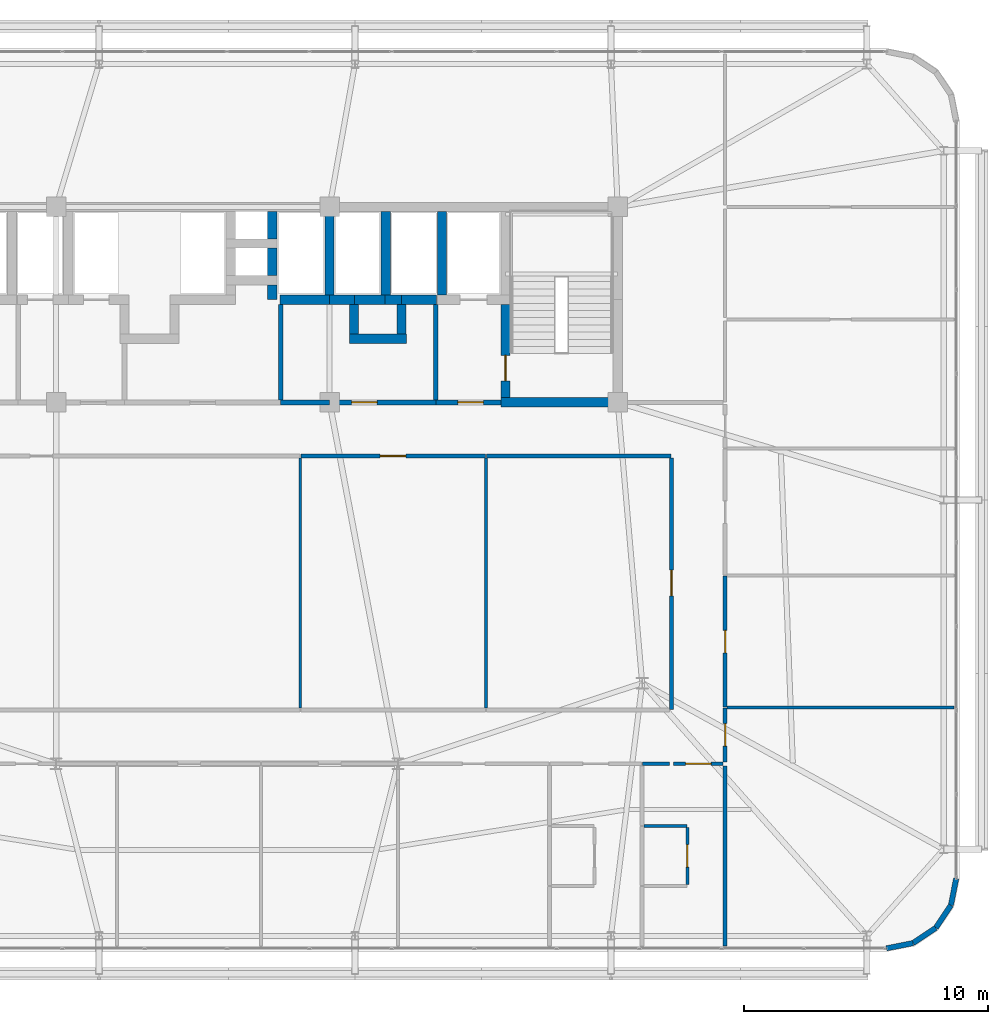
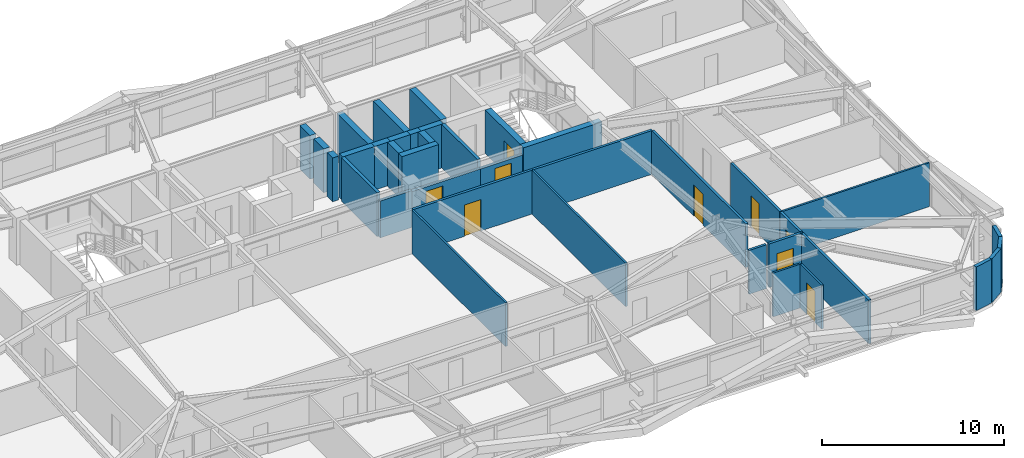
# One storey, part 54 of 58: 38 walls, 9 doors, 9 openings.
"""IFC4 building model written with IfcOpenShell, lengths in metres."""

from ifc_helpers import new_model, si_unit, direction, frame, frame_2d, origin, place, context, subcontext, project, spatial, rectangle, extrude, source, transform, mapped, material, layer, layer_set, type_object, element, fill, save


model = new_model("IFC4")

# Units and contexts
model_context = context("Model", 3, precision=1e-05, world=origin(), true_north=direction((0.0, 1.0)))
body_context = subcontext(model_context, "Body", "Model", "MODEL_VIEW")
ifc_project = project(units=[si_unit("LENGTHUNIT", "METRE"), si_unit("AREAUNIT", "SQUARE_METRE"), si_unit("VOLUMEUNIT", "CUBIC_METRE"), si_unit("PLANEANGLEUNIT", "RADIAN"), si_unit("MASSUNIT", "GRAM", prefix="KILO")], contexts=[model_context])

# Site, building, storey
site_placement = place(None, origin())
site = spatial("IfcSite", under=ifc_project, at=site_placement, CompositionType="ELEMENT")
building_placement = place(site_placement, origin())
building = spatial("IfcBuilding", under=site, at=building_placement, Name="Taldren Reach Tower", CompositionType="ELEMENT")
storey_placement = place(building_placement, frame((0.0, 0.0, 51.449951171875)))
storey = spatial("IfcBuildingStorey", under=building, at=storey_placement, Name="L15", CompositionType="ELEMENT", Elevation=51.449951171875)

# Walls
ifc_material_1 = material(Name="Pale Champagne Anodised Aluminium Cladding", Category="aluminium")
ifc_layer_1 = layer(ifc_material_1, 0.04, Name="Pale Champagne Anodised Aluminium Cladding", Category="aluminium")
ifc_material_2 = material(Name="Mineral Wool Acoustic Insulation", Category="insulation")
ifc_layer_2 = layer(ifc_material_2, 0.06, Name="Mineral Wool Acoustic Insulation", Category="insulation")
ifc_material_3 = material(Name="Steel Gr 350 (C350L0)", Category="steel")
ifc_layer_3 = layer(ifc_material_3, 0.12, Name="Steel Gr 350 (C350L0)", Category="steel")
ifc_layer_set_1 = layer_set([ifc_layer_1, ifc_layer_2, ifc_layer_3], Name="Pale Champagne Aluminium Cladding and Steel Gr 350 Stud Framing")
wall_type_1 = type_object("IfcWallType", Name="EW-CRN-220", PredefinedType="SOLIDWALL", material=ifc_layer_set_1)
shared_shape_1 = source(origin(), body_context, "Body", "SweptSolid", [
    extrude(rectangle(XDim=1.115966796875, YDim=0.219970703125, at=frame_2d((0.55810546875, 0.0))), origin(), (0.0, 0.0, 1.0), 2.929931640625),
])
for number, where, z_axis, x_axis, name in (
    (1, (62.0, 1.639892578125, 0.0), (0.0, 0.0, 1.0), (0.98077373103, 0.195148375659, 0.0), "Rounded-corner pale-metal facade wall L15-SE1"),
    (2, (63.094482421875, 1.857666015625, 0.0), (0.0, 0.0, 1.0), (0.83137650226, 0.555709556774, 0.0), "Rounded-corner pale-metal facade wall L15-SE2"),
    (3, (64.022216796875, 2.477783203125, 0.0), (0.0, 0.0, 1.0), (0.555709556774, 0.83137650226, 0.0), "Rounded-corner pale-metal facade wall L15-SE3"),
    (4, (64.642333984375, 3.405517578125, 0.0), (0.0, 0.0, 1.0), (0.195148375659, 0.98077373103, 0.0), "Rounded-corner pale-metal facade wall L15-SE4"),
):
    element("IfcWall", number, at=place(storey_placement, frame(where, z_axis=z_axis, x_axis=x_axis)), inside=storey, type_object=wall_type_1, Name=name, PredefinedType="SOLIDWALL", context=body_context, shape_type="MappedRepresentation", body=[
        mapped(shared_shape_1, transform((0.0, 0.0, 0.0), scale=1.0)),
    ])
ifc_material_4 = material(Name="Concrete S80 (80 MPa)", Category="concrete")
ifc_layer_4 = layer(ifc_material_4, 0.3798828125)
ifc_layer_set_2 = layer_set([ifc_layer_4], Name="Concrete S80 (80 MPa)")
wall_type_2 = type_object("IfcWallType", Name="IW-CORE-380", PredefinedType="SHEAR", material=ifc_layer_set_2)
shared_shape_2 = source(origin(), body_context, "Body", "SweptSolid", [
    extrude(rectangle(XDim=3.420166015625, YDim=0.3798828125, at=frame_2d((1.7099609375, 0.0))), origin(), (0.0, 0.0, 1.0), 2.929931640625),
])
for number, where, z_axis, x_axis, name in (
    (5, (43.800048828125, 31.81005859375, 0.0), (0.0, 0.0, 1.0), (0.0, -1.0, 0.0), "Rear Core Shear Wall W-INT-L15-012"),
    (6, (39.199951171875, 28.389892578125, 0.0), (0.0, 0.0, 1.0), (0.0, 1.0, 0.0), "Rear Core Shear Wall W-INT-L15-036"),
    (7, (41.5, 28.389892578125, 0.0), (0.0, 0.0, 1.0), (0.0, 1.0, 0.0), "Rear Core Shear Wall W-INT-L15-039"),
):
    element("IfcWall", number, at=place(storey_placement, frame(where, z_axis=z_axis, x_axis=x_axis)), inside=storey, type_object=wall_type_2, Name=name, PredefinedType="SHEAR", context=body_context, shape_type="MappedRepresentation", body=[
        mapped(shared_shape_2, transform((0.0, 0.0, 0.0), scale=1.0)),
    ])

# Wall, opening, door
shared_shape_3 = source(origin(), body_context, "Body", "SweptSolid", [
    extrude(rectangle(XDim=3.820068359375, YDim=0.3798828125, at=frame_2d((1.91015625, 0.0))), origin(), (0.0, 0.0, 1.0), 2.929931640625),
])
wall_1_placement = place(storey_placement, frame((46.39990234375, 28.010009765625, 0.0), z_axis=(0.0, 0.0, 1.0), x_axis=(0.0, -1.0, 0.0)))
wall_1 = element("IfcWall", 8, at=wall_1_placement, inside=storey, type_object=wall_type_2, Name="Rear Core Shear Wall W-INT-L15-009", PredefinedType="SHEAR", context=body_context, shape_type="MappedRepresentation", body=[
    mapped(shared_shape_3, transform((0.0, 0.0, 0.0), scale=1.0)),
])
shared_shape_4 = source(origin(), body_context, "Body", "SweptSolid", [
    extrude(rectangle(XDim=1.050048828125, YDim=2.10009765625, at=frame_2d((0.52490234375, 1.050048828125))), frame((0.0, 0.199951171875, 0.0), z_axis=(0.0, -1.0, 0.0), x_axis=(1.0, 0.0, 0.0)), (0.0, 0.0, 1.0), 0.39990234375),
])
opening_1_placement = place(wall_1_placement, frame((2.0849609375, 0.0, 0.0)))
opening_1 = element("IfcOpeningElement", 9, at=opening_1_placement, cuts=wall_1, Name="Opening DF-105", PredefinedType="OPENING", context=body_context, shape_type="MappedRepresentation", body=[
    mapped(shared_shape_4, transform((0.0, 0.0, 0.0), scale=1.0)),
])
ifc_material_5 = material(Name="Fire-Rated Care and Stair Exit Door")
door_type_1 = type_object("IfcDoorType", Name="ID-FIRE-105", OperationType="NOTDEFINED", PredefinedType="DOOR", material=ifc_material_5)
shared_shape_5 = source(origin(), body_context, "Body", "SweptSolid", [
    extrude(rectangle(XDim=1.050048828125, YDim=2.10009765625, at=frame_2d((0.52490234375, 1.050048828125))), frame((0.0, 0.02490234375, 0.0), z_axis=(0.0, -1.0, 0.0), x_axis=(1.0, 0.0, 0.0)), (0.0, 0.0, 1.0), 0.050048828125),
])
door_1_placement = place(opening_1_placement, origin())
door_1 = element("IfcDoor", 10, at=door_1_placement, inside=storey, type_object=door_type_1, Name="Fire Exit Stair Door DR-L15-003", OperationType="SINGLE_SWING_RIGHT", OverallHeight=2.10009765625, OverallWidth=1.050048828125, PredefinedType="DOOR", context=body_context, shape_type="MappedRepresentation", body=[
    mapped(shared_shape_5, transform((0.0, 0.0, 0.0), scale=1.0)),
])
fill(opening_1, door_1)

# Walls
shared_shape_6 = source(origin(), body_context, "Body", "SweptSolid", [
    extrude(rectangle(XDim=4.97998046875, YDim=0.3798828125, at=frame_2d((2.489990234375, 0.0))), origin(), (0.0, 0.0, 1.0), 2.929931640625),
])
wall_2_placement = place(storey_placement, frame((46.2099609375, 24.0, 0.0), z_axis=(0.0, 0.0, 1.0), x_axis=(1.0, 0.0, 0.0)))
element("IfcWall", 11, at=wall_2_placement, inside=storey, type_object=wall_type_2, Name="Rear Core Shear Wall W-INT-L15-010", PredefinedType="SHEAR", context=body_context, shape_type="MappedRepresentation", body=[
    mapped(shared_shape_6, transform((0.0, 0.0, 0.0), scale=1.0)),
])
ifc_material_6 = material(Name="Concrete S50 (50 MPa)", Category="concrete")
ifc_layer_5 = layer(ifc_material_6, 0.199951171875)
ifc_layer_set_3 = layer_set([ifc_layer_5], Name="Concrete S50 (50 MPa)")
wall_type_3 = type_object("IfcWallType", Name="IW-CORE-200", PredefinedType="SOLIDWALL", material=ifc_layer_set_3)
shared_shape_7 = source(origin(), body_context, "Body", "SweptSolid", [
    extrude(rectangle(XDim=3.909912109375, YDim=0.199951171875, at=frame_2d((1.955078125, 0.0))), origin(), (0.0, 0.0, 1.0), 2.929931640625),
])
for number, where, z_axis, x_axis, name in (
    (12, (43.550048828125, 28.010009765625, 0.0), (0.0, 0.0, 1.0), (0.0, -1.0, 0.0), "Rear Core Shear Wall W-INT-L15-013"),
    (13, (37.199951171875, 28.010009765625, 0.0), (0.0, 0.0, 1.0), (0.0, -1.0, 0.0), "Rear Core Shear Wall W-INT-L15-042"),
):
    element("IfcWall", number, at=place(storey_placement, frame(where, z_axis=z_axis, x_axis=x_axis)), inside=storey, type_object=wall_type_3, Name=name, PredefinedType="SOLIDWALL", context=body_context, shape_type="MappedRepresentation", body=[
        mapped(shared_shape_7, transform((0.0, 0.0, 0.0), scale=1.0)),
    ])

# Wall, opening, door
shared_shape_8 = source(origin(), body_context, "Body", "SweptSolid", [
    extrude(rectangle(XDim=2.659912109375, YDim=0.199951171875, at=frame_2d((1.330078125, 0.0))), origin(), (0.0, 0.0, 1.0), 2.39697265625),
])
wall_3_placement = place(storey_placement, frame((43.550048828125, 24.0, 0.0), z_axis=(0.0, 0.0, 1.0), x_axis=(1.0, 0.0, 0.0)))
wall_3 = element("IfcWall", 14, at=wall_3_placement, inside=storey, type_object=wall_type_3, Name="Rear Core Shear Wall W-INT-L15-014", PredefinedType="SOLIDWALL", context=body_context, shape_type="MappedRepresentation", body=[
    mapped(shared_shape_8, transform((0.0, 0.0, 0.0), scale=1.0)),
])
shared_shape_9 = source(origin(), body_context, "Body", "SweptSolid", [
    extrude(rectangle(XDim=1.050048828125, YDim=2.10009765625, at=frame_2d((0.52490234375, 1.050048828125))), frame((0.0, 0.10986328125, 0.0), z_axis=(0.0, -1.0, 0.0), x_axis=(1.0, 0.0, 0.0)), (0.0, 0.0, 1.0), 0.219970703125),
])
opening_2_placement = place(wall_3_placement, frame((0.89990234375, 0.0, 0.0)))
opening_2 = element("IfcOpeningElement", 15, at=opening_2_placement, cuts=wall_3, Name="Opening DF-105", PredefinedType="OPENING", context=body_context, shape_type="MappedRepresentation", body=[
    mapped(shared_shape_9, transform((0.0, 0.0, 0.0), scale=1.0)),
])
door_2_placement = place(opening_2_placement, origin())
door_2 = element("IfcDoor", 16, at=door_2_placement, inside=storey, type_object=door_type_1, Name="Interior Door DR-L15-004", OperationType="SINGLE_SWING_LEFT", OverallHeight=2.10009765625, OverallWidth=1.050048828125, PredefinedType="DOOR", context=body_context, shape_type="MappedRepresentation", body=[
    mapped(shared_shape_5, transform((0.0, 0.0, 0.0), scale=1.0)),
])
fill(opening_2, door_2)

# Walls
shared_shape_10 = source(origin(), body_context, "Body", "SweptSolid", [
    extrude(rectangle(XDim=1.1201171875, YDim=0.3798828125, at=frame_2d((0.56005859375, 0.0))), origin(), (0.0, 0.0, 1.0), 2.929931640625),
])
for number, where, z_axis, x_axis, name in (
    (17, (36.85009765625, 30.68994140625, 0.0), (0.0, 0.0, 1.0), (0.0, 1.0, 0.0), "Rear Core Shear Wall W-INT-L15-017"),
    (18, (36.85009765625, 29.18994140625, 0.0), (0.0, 0.0, 1.0), (0.0, 1.0, 0.0), "Rear Core Shear Wall W-INT-L15-019"),
):
    element("IfcWall", number, at=place(storey_placement, frame(where, z_axis=z_axis, x_axis=x_axis)), inside=storey, type_object=wall_type_2, Name=name, PredefinedType="SHEAR", context=body_context, shape_type="MappedRepresentation", body=[
        mapped(shared_shape_10, transform((0.0, 0.0, 0.0), scale=1.0)),
    ])
shared_shape_11 = source(origin(), body_context, "Body", "SweptSolid", [
    extrude(rectangle(XDim=1.219970703125, YDim=0.3798828125, at=frame_2d((0.60986328125, 0.0))), origin(), (0.0, 0.0, 1.0), 2.929931640625),
])
for number, where, z_axis, x_axis, name in (
    (19, (40.199951171875, 28.010009765625, 0.0), (0.0, 0.0, 1.0), (0.0, -1.0, 0.0), "Rear Core Shear Wall W-INT-L15-027"),
    (20, (42.14990234375, 26.7900390625, 0.0), (0.0, 0.0, 1.0), (0.0, 1.0, 0.0), "Rear Core Shear Wall W-INT-L15-028"),
):
    element("IfcWall", number, at=place(storey_placement, frame(where, z_axis=z_axis, x_axis=x_axis)), inside=storey, type_object=wall_type_2, Name=name, PredefinedType="SHEAR", context=body_context, shape_type="MappedRepresentation", body=[
        mapped(shared_shape_11, transform((0.0, 0.0, 0.0), scale=1.0)),
    ])
shared_shape_12 = source(origin(), body_context, "Body", "SweptSolid", [
    extrude(rectangle(XDim=1.320068359375, YDim=0.3798828125, at=frame_2d((0.66015625, 0.0))), origin(), (0.0, 0.0, 1.0), 2.929931640625),
])
wall_4_placement = place(storey_placement, frame((41.52001953125, 28.199951171875, 0.0), z_axis=(0.0, 0.0, 1.0), x_axis=(-1.0, 0.0, 0.0)))
element("IfcWall", 21, at=wall_4_placement, inside=storey, type_object=wall_type_2, Name="Rear Core Shear Wall W-INT-L15-024", PredefinedType="SHEAR", context=body_context, shape_type="MappedRepresentation", body=[
    mapped(shared_shape_12, transform((0.0, 0.0, 0.0), scale=1.0)),
])
shared_shape_13 = source(origin(), body_context, "Body", "SweptSolid", [
    extrude(rectangle(XDim=0.669921875, YDim=0.3798828125, at=frame_2d((0.3349609375, 0.0))), origin(), (0.0, 0.0, 1.0), 2.929931640625),
])
wall_5_placement = place(storey_placement, frame((42.14990234375, 28.199951171875, 0.0), z_axis=(0.0, 0.0, 1.0), x_axis=(-1.0, 0.0, 0.0)))
element("IfcWall", 22, at=wall_5_placement, inside=storey, type_object=wall_type_2, Name="Rear Core Shear Wall W-INT-L15-025", PredefinedType="SHEAR", context=body_context, shape_type="MappedRepresentation", body=[
    mapped(shared_shape_13, transform((0.0, 0.0, 0.0), scale=1.0)),
])
shared_shape_14 = source(origin(), body_context, "Body", "SweptSolid", [
    extrude(rectangle(XDim=2.330078125, YDim=0.3798828125, at=frame_2d((1.1650390625, 0.0))), origin(), (0.0, 0.0, 1.0), 2.929931640625),
])
wall_6_placement = place(storey_placement, frame((40.010009765625, 26.60009765625, 0.0), z_axis=(0.0, 0.0, 1.0), x_axis=(1.0, 0.0, 0.0)))
element("IfcWall", 23, at=wall_6_placement, inside=storey, type_object=wall_type_2, Name="Rear Core Shear Wall W-INT-L15-026", PredefinedType="SHEAR", context=body_context, shape_type="MappedRepresentation", body=[
    mapped(shared_shape_14, transform((0.0, 0.0, 0.0), scale=1.0)),
])
shared_shape_15 = source(origin(), body_context, "Body", "SweptSolid", [
    extrude(rectangle(XDim=0.610107421875, YDim=0.3798828125, at=frame_2d((0.30517578125, 0.0))), origin(), (0.0, 0.0, 1.0), 2.929931640625),
])
wall_7_placement = place(storey_placement, frame((36.85009765625, 28.81005859375, 0.0), z_axis=(0.0, 0.0, 1.0), x_axis=(0.0, -1.0, 0.0)))
element("IfcWall", 24, at=wall_7_placement, inside=storey, type_object=wall_type_2, Name="Rear Core Shear Wall W-INT-L15-037", PredefinedType="SHEAR", context=body_context, shape_type="MappedRepresentation", body=[
    mapped(shared_shape_15, transform((0.0, 0.0, 0.0), scale=1.0)),
])
shared_shape_16 = source(origin(), body_context, "Body", "SweptSolid", [
    extrude(rectangle(XDim=2.02001953125, YDim=0.3798828125, at=frame_2d((1.010009765625, 0.0))), origin(), (0.0, 0.0, 1.0), 2.929931640625),
])
wall_8_placement = place(storey_placement, frame((37.179931640625, 28.199951171875, 0.0), z_axis=(0.0, 0.0, 1.0), x_axis=(1.0, 0.0, 0.0)))
element("IfcWall", 25, at=wall_8_placement, inside=storey, type_object=wall_type_2, Name="Rear Core Shear Wall W-INT-L15-038", PredefinedType="SHEAR", context=body_context, shape_type="MappedRepresentation", body=[
    mapped(shared_shape_16, transform((0.0, 0.0, 0.0), scale=1.0)),
])
shared_shape_17 = source(origin(), body_context, "Body", "SweptSolid", [
    extrude(rectangle(XDim=1.02001953125, YDim=0.3798828125, at=frame_2d((0.510009765625, 0.0))), origin(), (0.0, 0.0, 1.0), 2.929931640625),
])
wall_9_placement = place(storey_placement, frame((39.199951171875, 28.199951171875, 0.0), z_axis=(0.0, 0.0, 1.0), x_axis=(1.0, 0.0, 0.0)))
element("IfcWall", 26, at=wall_9_placement, inside=storey, type_object=wall_type_2, Name="Rear Core Shear Wall W-INT-L15-040", PredefinedType="SHEAR", context=body_context, shape_type="MappedRepresentation", body=[
    mapped(shared_shape_17, transform((0.0, 0.0, 0.0), scale=1.0)),
])
shared_shape_18 = source(origin(), body_context, "Body", "SweptSolid", [
    extrude(rectangle(XDim=1.440185546875, YDim=0.3798828125, at=frame_2d((0.72021484375, 0.0))), origin(), (0.0, 0.0, 1.0), 2.929931640625),
])
wall_10_placement = place(storey_placement, frame((42.1298828125, 28.199951171875, 0.0), z_axis=(0.0, 0.0, 1.0), x_axis=(1.0, 0.0, 0.0)))
element("IfcWall", 27, at=wall_10_placement, inside=storey, type_object=wall_type_2, Name="Rear Core Shear Wall W-INT-L15-041", PredefinedType="SHEAR", context=body_context, shape_type="MappedRepresentation", body=[
    mapped(shared_shape_18, transform((0.0, 0.0, 0.0), scale=1.0)),
])

# Wall, opening, door
shared_shape_19 = source(origin(), body_context, "Body", "SweptSolid", [
    extrude(rectangle(XDim=4.35009765625, YDim=0.199951171875, at=frame_2d((2.175048828125, 0.0))), origin(), (0.0, 0.0, 1.0), 2.39697265625),
])
wall_11_placement = place(storey_placement, frame((43.550048828125, 24.0, 0.0), z_axis=(0.0, 0.0, 1.0), x_axis=(-1.0, 0.0, 0.0)))
wall_11 = element("IfcWall", 28, at=wall_11_placement, inside=storey, type_object=wall_type_3, Name="Rear Core Shear Wall W-INT-L15-044", PredefinedType="SOLIDWALL", context=body_context, shape_type="MappedRepresentation", body=[
    mapped(shared_shape_19, transform((0.0, 0.0, 0.0), scale=1.0)),
])
opening_3_placement = place(wall_11_placement, frame((2.39990234375, 0.0, 0.0)))
opening_3 = element("IfcOpeningElement", 29, at=opening_3_placement, cuts=wall_11, Name="Opening DF-105", PredefinedType="OPENING", context=body_context, shape_type="MappedRepresentation", body=[
    mapped(shared_shape_9, transform((0.0, 0.0, 0.0), scale=1.0)),
])
door_3_placement = place(opening_3_placement, frame((1.050048828125, 0.0, 0.0), z_axis=(0.0, 0.0, 1.0), x_axis=(-1.0, 0.0, 0.0)))
door_3 = element("IfcDoor", 30, at=door_3_placement, inside=storey, type_object=door_type_1, Name="Interior Door DR-L15-007", OperationType="SINGLE_SWING_RIGHT", OverallHeight=2.10009765625, OverallWidth=1.050048828125, PredefinedType="DOOR", context=body_context, shape_type="MappedRepresentation", body=[
    mapped(shared_shape_5, transform((0.0, 0.0, 0.0), scale=1.0)),
])
fill(opening_3, door_3)

# Wall
shared_shape_20 = source(origin(), body_context, "Body", "SweptSolid", [
    extrude(rectangle(XDim=2.0, YDim=0.199951171875, at=frame_2d((1.0, 0.0))), origin(), (0.0, 0.0, 1.0), 2.469970703125),
])
wall_12_placement = place(storey_placement, frame((39.199951171875, 24.0, 0.0), z_axis=(0.0, 0.0, 1.0), x_axis=(-1.0, 0.0, 0.0)))
element("IfcWall", 31, at=wall_12_placement, inside=storey, type_object=wall_type_3, Name="Rear Core Shear Wall W-INT-L15-044 part 2", PredefinedType="SOLIDWALL", context=body_context, shape_type="MappedRepresentation", body=[
    mapped(shared_shape_20, transform((0.0, 0.0, 0.0), scale=1.0)),
])

# Wall, opening, door
ifc_material_7 = material(Name="Fire-Rated Acoustic Plasterboard Stud Wall", Category="gypsum")
ifc_layer_6 = layer(ifc_material_7, 0.159912109375)
ifc_layer_set_4 = layer_set([ifc_layer_6], Name="Fire-Rated Acoustic Plasterboard Stud Wall")
wall_type_4 = type_object("IfcWallType", Name="IW-FIRE-160", PredefinedType="PARTITIONING", material=ifc_layer_set_4)
shared_shape_21 = source(origin(), body_context, "Body", "SweptSolid", [
    extrude(rectangle(XDim=10.2998046875, YDim=0.159912109375, at=frame_2d((5.14990234375, 0.0))), origin(), (0.0, 0.0, 1.0), 2.929931640625),
])
wall_13_placement = place(storey_placement, frame((53.199951171875, 11.420166015625, 0.0), z_axis=(0.0, 0.0, 1.0), x_axis=(0.0, 1.0, 0.0)))
wall_13 = element("IfcWall", 32, at=wall_13_placement, inside=storey, type_object=wall_type_4, Name="Interior Partition Wall W-INT-L15-048", PredefinedType="PARTITIONING", context=body_context, shape_type="MappedRepresentation", body=[
    mapped(shared_shape_21, transform((0.0, 0.0, 0.0), scale=1.0)),
])
shared_shape_22 = source(origin(), body_context, "Body", "SweptSolid", [
    extrude(rectangle(XDim=1.050048828125, YDim=2.10009765625, at=frame_2d((0.52490234375, 1.050048828125))), frame((0.0, 0.08984375, 0.0), z_axis=(0.0, -1.0, 0.0), x_axis=(1.0, 0.0, 0.0)), (0.0, 0.0, 1.0), 0.179931640625),
])
opening_4_placement = place(wall_13_placement, frame((4.65478515625, 0.0, 0.0)))
opening_4 = element("IfcOpeningElement", 33, at=opening_4_placement, cuts=wall_13, Name="Opening DF-105", PredefinedType="OPENING", context=body_context, shape_type="MappedRepresentation", body=[
    mapped(shared_shape_22, transform((0.0, 0.0, 0.0), scale=1.0)),
])
door_4_placement = place(opening_4_placement, origin())
door_4 = element("IfcDoor", 34, at=door_4_placement, inside=storey, type_object=door_type_1, Name="Interior Door DR-L15-010", OperationType="SINGLE_SWING_LEFT", OverallHeight=2.10009765625, OverallWidth=1.050048828125, PredefinedType="DOOR", context=body_context, shape_type="MappedRepresentation", body=[
    mapped(shared_shape_5, transform((0.0, 0.0, 0.0), scale=1.0)),
])
fill(opening_4, door_4)

shared_shape_23 = source(origin(), body_context, "Body", "SweptSolid", [
    extrude(rectangle(XDim=2.0400390625, YDim=0.159912109375, at=frame_2d((1.02001953125, 0.0))), origin(), (0.0, 0.0, 1.0), 2.929931640625),
])
wall_14_placement = place(storey_placement, frame((55.320068359375, 9.199951171875, 0.0), z_axis=(0.0, 0.0, 1.0), x_axis=(-1.0, 0.0, 0.0)))
wall_14 = element("IfcWall", 35, at=wall_14_placement, inside=storey, type_object=wall_type_4, Name="Interior Partition Wall W-INT-L15-051", PredefinedType="PARTITIONING", context=body_context, shape_type="MappedRepresentation", body=[
    mapped(shared_shape_23, transform((0.0, 0.0, 0.0), scale=1.0)),
])
opening_5_placement = place(wall_14_placement, frame((0.4951171875, 0.0, 0.0)))
opening_5 = element("IfcOpeningElement", 36, at=opening_5_placement, cuts=wall_14, Name="Opening DF-105", PredefinedType="OPENING", context=body_context, shape_type="MappedRepresentation", body=[
    mapped(shared_shape_22, transform((0.0, 0.0, 0.0), scale=1.0)),
])
door_5_placement = place(opening_5_placement, origin())
door_5 = element("IfcDoor", 37, at=door_5_placement, inside=storey, type_object=door_type_1, Name="Interior Door DR-L15-012", OperationType="SINGLE_SWING_LEFT", OverallHeight=2.10009765625, OverallWidth=1.050048828125, PredefinedType="DOOR", context=body_context, shape_type="MappedRepresentation", body=[
    mapped(shared_shape_5, transform((0.0, 0.0, 0.0), scale=1.0)),
])
fill(opening_5, door_5)

# Wall
shared_shape_24 = source(origin(), body_context, "Body", "SweptSolid", [
    extrude(rectangle(XDim=1.099853515625, YDim=0.159912109375, at=frame_2d((0.5498046875, 0.0))), origin(), (0.0, 0.0, 1.0), 2.929931640625),
])
wall_15_placement = place(storey_placement, frame((53.1201171875, 9.199951171875, 0.0), z_axis=(0.0, 0.0, 1.0), x_axis=(-1.0, 0.0, 0.0)))
element("IfcWall", 38, at=wall_15_placement, inside=storey, type_object=wall_type_4, Name="Interior Partition Wall W-INT-L15-070", PredefinedType="PARTITIONING", context=body_context, shape_type="MappedRepresentation", body=[
    mapped(shared_shape_24, transform((0.0, 0.0, 0.0), scale=1.0)),
])

# Wall, opening, door
shared_shape_25 = source(origin(), body_context, "Body", "SweptSolid", [
    extrude(rectangle(XDim=5.359619140625, YDim=0.159912109375, at=frame_2d((2.6796875, 0.0))), origin(), (0.0, 0.0, 1.0), 2.929931640625),
])
wall_16_placement = place(storey_placement, frame((55.39990234375, 16.8798828125, 0.0), z_axis=(0.0, 0.0, 1.0), x_axis=(0.0, -1.0, 0.0)))
wall_16 = element("IfcWall", 39, at=wall_16_placement, inside=storey, type_object=wall_type_4, Name="Interior Partition Wall W-INT-L15-055", PredefinedType="PARTITIONING", context=body_context, shape_type="MappedRepresentation", body=[
    mapped(shared_shape_25, transform((0.0, 0.0, 0.0), scale=1.0)),
])
shared_shape_26 = source(origin(), body_context, "Body", "SweptSolid", [
    extrude(rectangle(XDim=0.919921875, YDim=2.10009765625, at=frame_2d((0.4599609375, 1.050048828125))), frame((0.0, 0.08984375, 0.0), z_axis=(0.0, -1.0, 0.0), x_axis=(1.0, 0.0, 0.0)), (0.0, 0.0, 1.0), 0.179931640625),
])
opening_6_placement = place(wall_16_placement, frame((2.2197265625, 0.0, 0.0)))
opening_6 = element("IfcOpeningElement", 40, at=opening_6_placement, cuts=wall_16, Name="Opening DI-092", PredefinedType="OPENING", context=body_context, shape_type="MappedRepresentation", body=[
    mapped(shared_shape_26, transform((0.0, 0.0, 0.0), scale=1.0)),
])
ifc_material_8 = material(Name="Solid-Core Timber Suite Door", Category="wood")
door_type_2 = type_object("IfcDoorType", Name="ID-INT-092", OperationType="NOTDEFINED", PredefinedType="DOOR", material=ifc_material_8)
shared_shape_27 = source(origin(), body_context, "Body", "SweptSolid", [
    extrude(rectangle(XDim=0.919921875, YDim=2.10009765625, at=frame_2d((0.4599609375, 1.050048828125))), frame((0.0, 0.02490234375, 0.0), z_axis=(0.0, -1.0, 0.0), x_axis=(1.0, 0.0, 0.0)), (0.0, 0.0, 1.0), 0.050048828125),
])
door_6_placement = place(opening_6_placement, origin())
door_6 = element("IfcDoor", 41, at=door_6_placement, inside=storey, type_object=door_type_2, Name="Interior Door DR-L15-016", OperationType="SINGLE_SWING_LEFT", OverallHeight=2.10009765625, OverallWidth=0.919921875, PredefinedType="DOOR", context=body_context, shape_type="MappedRepresentation", body=[
    mapped(shared_shape_27, transform((0.0, 0.0, 0.0), scale=1.0)),
])
fill(opening_6, door_6)

ifc_material_9 = material(Name="Insulated Residential Stud Partition", Category="gypsum")
ifc_layer_7 = layer(ifc_material_9, 0.1201171875)
ifc_layer_set_5 = layer_set([ifc_layer_7], Name="Insulated Residential Stud Partition")
wall_type_5 = type_object("IfcWallType", Name="IW-PART-120", PredefinedType="PARTITIONING", material=ifc_layer_set_5)
shared_shape_28 = source(origin(), body_context, "Body", "SweptSolid", [
    extrude(rectangle(XDim=2.330078125, YDim=0.1201171875, at=frame_2d((1.1650390625, 0.0))), origin(), (0.0, 0.0, 1.0), 2.929931640625),
])
wall_17_placement = place(storey_placement, frame((53.85009765625, 4.260009765625, 0.0), z_axis=(0.0, 0.0, 1.0), x_axis=(0.0, 1.0, 0.0)))
wall_17 = element("IfcWall", 42, at=wall_17_placement, inside=storey, type_object=wall_type_5, Name="Interior Partition Wall W-INT-L15-093", PredefinedType="PARTITIONING", context=body_context, shape_type="MappedRepresentation", body=[
    mapped(shared_shape_28, transform((0.0, 0.0, 0.0), scale=1.0)),
])
shared_shape_29 = source(origin(), body_context, "Body", "SweptSolid", [
    extrude(rectangle(XDim=0.919921875, YDim=2.10009765625, at=frame_2d((0.4599609375, 1.050048828125))), frame((0.0, 0.070068359375, 0.0), z_axis=(0.0, -1.0, 0.0), x_axis=(1.0, 0.0, 0.0)), (0.0, 0.0, 1.0), 0.14013671875),
])
opening_7_placement = place(wall_17_placement, frame((0.705078125, 0.0, 0.0)))
opening_7 = element("IfcOpeningElement", 43, at=opening_7_placement, cuts=wall_17, Name="Opening DI-092", PredefinedType="OPENING", context=body_context, shape_type="MappedRepresentation", body=[
    mapped(shared_shape_29, transform((0.0, 0.0, 0.0), scale=1.0)),
])
door_7_placement = place(opening_7_placement, origin())
door_7 = element("IfcDoor", 44, at=door_7_placement, inside=storey, type_object=door_type_2, Name="Interior Door DR-L15-028", OperationType="SINGLE_SWING_LEFT", OverallHeight=2.10009765625, OverallWidth=0.919921875, PredefinedType="DOOR", context=body_context, shape_type="MappedRepresentation", body=[
    mapped(shared_shape_27, transform((0.0, 0.0, 0.0), scale=1.0)),
])
fill(opening_7, door_7)

# Walls
shared_shape_30 = source(origin(), body_context, "Body", "SweptSolid", [
    extrude(rectangle(XDim=1.749755859375, YDim=0.1201171875, at=frame_2d((0.875, 0.0))), origin(), (0.0, 0.0, 1.0), 2.929931640625),
])
wall_18_placement = place(storey_placement, frame((53.829833984375, 6.64990234375, 0.0), z_axis=(0.0, 0.0, 1.0), x_axis=(-1.0, 0.0, 0.0)))
element("IfcWall", 45, at=wall_18_placement, inside=storey, type_object=wall_type_5, Name="Interior Partition Wall W-INT-L15-095", PredefinedType="PARTITIONING", context=body_context, shape_type="MappedRepresentation", body=[
    mapped(shared_shape_30, transform((0.0, 0.0, 0.0), scale=1.0)),
])
shared_shape_31 = source(origin(), body_context, "Body", "SweptSolid", [
    extrude(rectangle(XDim=7.385986328125, YDim=0.159912109375, at=frame_2d((3.69287109375, 0.0))), origin(), (0.0, 0.0, 1.0), 2.929931640625),
])
wall_19_placement = place(storey_placement, frame((55.39990234375, 9.117919921875, 0.0), z_axis=(0.0, 0.0, 1.0), x_axis=(0.0, -1.0, 0.0)))
element("IfcWall", 46, at=wall_19_placement, inside=storey, type_object=wall_type_4, Name="Interior Partition Wall W-INT-L15-096", PredefinedType="PARTITIONING", context=body_context, shape_type="MappedRepresentation", body=[
    mapped(shared_shape_31, transform((0.0, 0.0, 0.0), scale=1.0)),
])
shared_shape_32 = source(origin(), body_context, "Body", "SweptSolid", [
    extrude(rectangle(XDim=9.2900390625, YDim=0.1201171875, at=frame_2d((4.64501953125, 0.0))), origin(), (0.0, 0.0, 1.0), 2.929931640625),
])
wall_20_placement = place(storey_placement, frame((55.47998046875, 11.5, 0.0), z_axis=(0.0, 0.0, 1.0), x_axis=(1.0, 0.0, 0.0)))
element("IfcWall", 47, at=wall_20_placement, inside=storey, type_object=wall_type_5, Name="Interior Partition Wall W-INT-L15-101", PredefinedType="PARTITIONING", context=body_context, shape_type="MappedRepresentation", body=[
    mapped(shared_shape_32, transform((0.0, 0.0, 0.0), scale=1.0)),
])
shared_shape_33 = source(origin(), body_context, "Body", "SweptSolid", [
    extrude(rectangle(XDim=10.239990234375, YDim=0.1201171875, at=frame_2d((5.1201171875, 0.0))), origin(), (0.0, 0.0, 1.0), 2.929931640625),
])
for number, where, z_axis, x_axis, name in (
    (48, (38.0, 21.719970703125, 0.0), (0.0, 0.0, 1.0), (0.0, -1.0, 0.0), "Interior Partition Wall W-INT-L15-071"),
    (49, (45.60009765625, 21.719970703125, 0.0), (0.0, 0.0, 1.0), (0.0, -1.0, 0.0), "Interior Partition Wall W-INT-L15-072"),
):
    element("IfcWall", number, at=place(storey_placement, frame(where, z_axis=z_axis, x_axis=x_axis)), inside=storey, type_object=wall_type_5, Name=name, PredefinedType="PARTITIONING", context=body_context, shape_type="MappedRepresentation", body=[
        mapped(shared_shape_33, transform((0.0, 0.0, 0.0), scale=1.0)),
    ])

# Wall, opening, door
shared_shape_34 = source(origin(), body_context, "Body", "SweptSolid", [
    extrude(rectangle(XDim=7.5595703125, YDim=0.159912109375, at=frame_2d((3.77978515625, 0.0))), origin(), (0.0, 0.0, 1.0), 2.929931640625),
])
wall_21_placement = place(storey_placement, frame((45.579833984375, 21.800048828125, 0.0), z_axis=(0.0, 0.0, 1.0), x_axis=(-1.0, 0.0, 0.0)))
wall_21 = element("IfcWall", 50, at=wall_21_placement, inside=storey, type_object=wall_type_4, Name="Interior Partition Wall W-INT-L15-047", PredefinedType="PARTITIONING", context=body_context, shape_type="MappedRepresentation", body=[
    mapped(shared_shape_34, transform((0.0, 0.0, 0.0), scale=1.0)),
])
opening_8_placement = place(wall_21_placement, frame((3.2548828125, 0.0, 0.0)))
opening_8 = element("IfcOpeningElement", 51, at=opening_8_placement, cuts=wall_21, Name="Opening DF-105", PredefinedType="OPENING", context=body_context, shape_type="MappedRepresentation", body=[
    mapped(shared_shape_22, transform((0.0, 0.0, 0.0), scale=1.0)),
])
door_8_placement = place(opening_8_placement, origin())
door_8 = element("IfcDoor", 52, at=door_8_placement, inside=storey, type_object=door_type_1, Name="Interior Door DR-L15-009", OperationType="SINGLE_SWING_RIGHT", OverallHeight=2.10009765625, OverallWidth=1.050048828125, PredefinedType="DOOR", context=body_context, shape_type="MappedRepresentation", body=[
    mapped(shared_shape_5, transform((0.0, 0.0, 0.0), scale=1.0)),
])
fill(opening_8, door_8)

# Wall
wall_22_placement = place(storey_placement, frame((53.1796875, 21.800048828125, 0.0), z_axis=(0.0, 0.0, 1.0), x_axis=(-1.0, 0.0, 0.0)))
element("IfcWall", 53, at=wall_22_placement, inside=storey, type_object=wall_type_4, Name="Interior Partition Wall W-INT-L15-049", PredefinedType="PARTITIONING", context=body_context, shape_type="MappedRepresentation", body=[
    mapped(shared_shape_34, transform((0.0, 0.0, 0.0), scale=1.0)),
])

# Wall, opening, door
shared_shape_35 = source(origin(), body_context, "Body", "SweptSolid", [
    extrude(rectangle(XDim=2.19970703125, YDim=0.159912109375, at=frame_2d((1.099853515625, 0.0))), origin(), (0.0, 0.0, 1.0), 2.929931640625),
])
wall_23_placement = place(storey_placement, frame((55.39990234375, 11.479736328125, 0.0), z_axis=(0.0, 0.0, 1.0), x_axis=(0.0, -1.0, 0.0)))
wall_23 = element("IfcWall", 54, at=wall_23_placement, inside=storey, type_object=wall_type_4, Name="Interior Partition Wall W-INT-L15-054", PredefinedType="PARTITIONING", context=body_context, shape_type="MappedRepresentation", body=[
    mapped(shared_shape_35, transform((0.0, 0.0, 0.0), scale=1.0)),
])
opening_9_placement = place(wall_23_placement, frame((0.639892578125, 0.0, 0.0)))
opening_9 = element("IfcOpeningElement", 55, at=opening_9_placement, cuts=wall_23, Name="Opening DI-092", PredefinedType="OPENING", context=body_context, shape_type="MappedRepresentation", body=[
    mapped(shared_shape_26, transform((0.0, 0.0, 0.0), scale=1.0)),
])
door_9_placement = place(opening_9_placement, origin())
door_9 = element("IfcDoor", 56, at=door_9_placement, inside=storey, type_object=door_type_2, Name="Interior Door DR-L15-015", OperationType="SINGLE_SWING_RIGHT", OverallHeight=2.10009765625, OverallWidth=0.919921875, PredefinedType="DOOR", context=body_context, shape_type="MappedRepresentation", body=[
    mapped(shared_shape_27, transform((0.0, 0.0, 0.0), scale=1.0)),
])
fill(opening_9, door_9)

save(model, "model.ifc")
